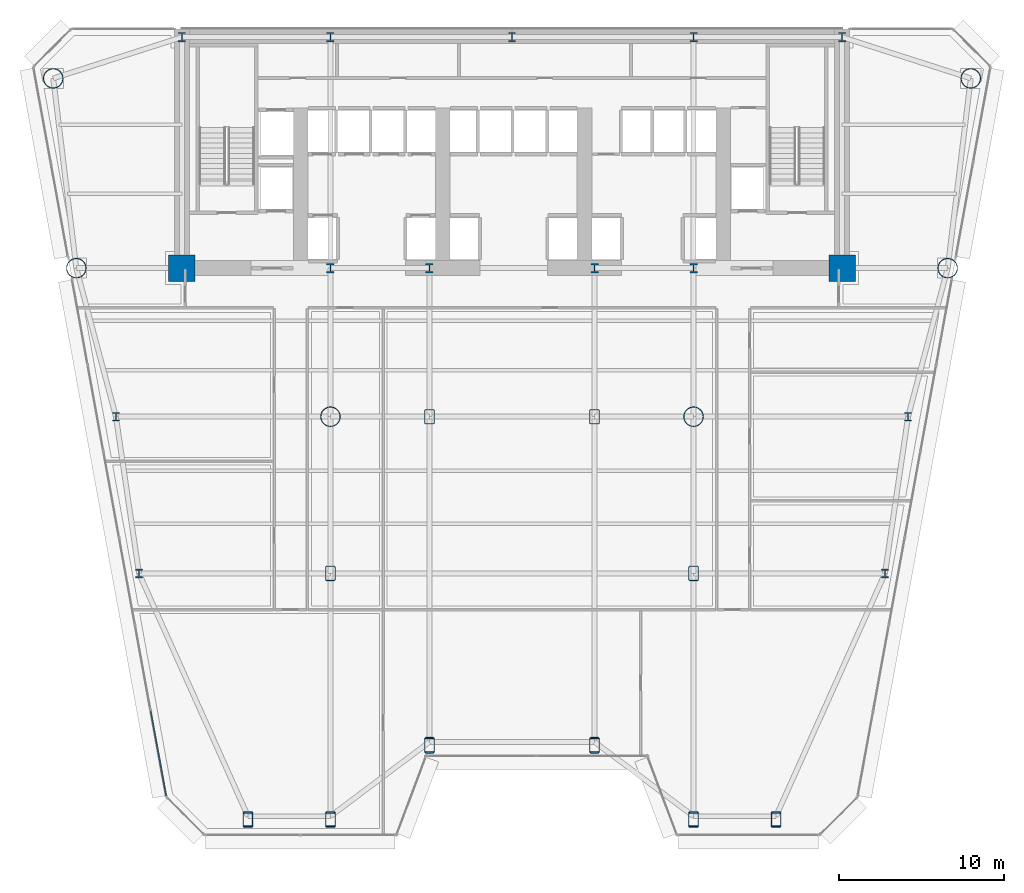
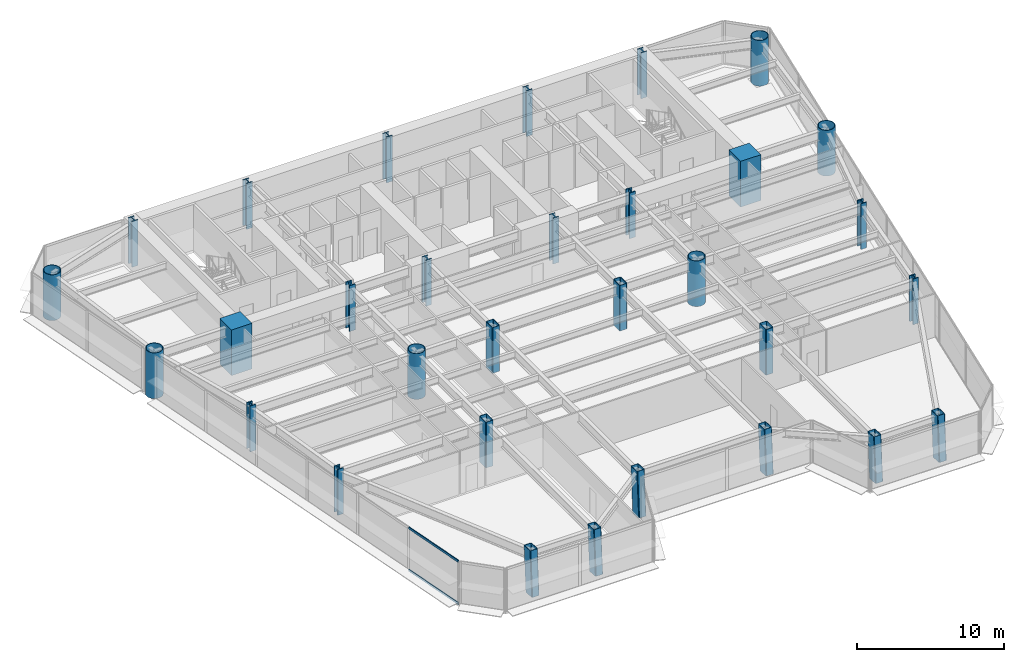
# One storey, part 1 of 14: 31 columns, 2 members, 1 element without a shape of its own.
"""IFC4 building model written with IfcOpenShell, lengths in metres."""

from ifc_helpers import new_model, si_unit, direction, frame, origin, origin_2d, place, context, subcontext, project, spatial, rectangle, hollow_rectangle, hollow_circle, i_section, extrude, source, transform, mapped, material, layer, layer_set, material_profile, profile_set, type_object, element, aggregate, save


model = new_model("IFC4")

# Units and contexts
model_context = context("Model", 3, precision=1e-05, world=origin(), true_north=direction((0.0, 1.0)))
body_context = subcontext(model_context, "Body", "Model", "MODEL_VIEW")
ifc_project = project(units=[si_unit("LENGTHUNIT", "METRE"), si_unit("AREAUNIT", "SQUARE_METRE"), si_unit("VOLUMEUNIT", "CUBIC_METRE"), si_unit("PLANEANGLEUNIT", "RADIAN"), si_unit("MASSUNIT", "GRAM", prefix="KILO")], contexts=[model_context])

# Site, building, storey
site_placement = place(None, origin())
site = spatial("IfcSite", under=ifc_project, at=site_placement, CompositionType="ELEMENT")
building_placement = place(site_placement, origin())
building = spatial("IfcBuilding", under=site, at=building_placement, Name="Vaeldorn Concourse Tower", CompositionType="ELEMENT")
storey_placement = place(building_placement, frame((0.0, 0.0, 53.0)))
storey = spatial("IfcBuildingStorey", under=building, at=storey_placement, Name="L13", CompositionType="ELEMENT", Elevation=53.0)

# Columns
ifc_material_1 = material(Name="Concrete C60/75", Category="concrete")
ifc_material_profile_1 = material_profile(ifc_material_1, rectangle(XDim=1.60009765625, YDim=1.60009765625, at=origin_2d()), Name="RC 1600x1600")
ifc_profile_set_1 = profile_set([ifc_material_profile_1], Name="Concrete C60/75")
column_type_1 = type_object("IfcColumnType", Name="COL-RC1600", PredefinedType="COLUMN", material=ifc_profile_set_1)
shared_shape_1 = source(origin(), body_context, "Body", "SweptSolid", [
    extrude(rectangle(XDim=1.60009765625, YDim=1.60009765625, at=origin_2d()), origin(), (0.0, 0.0, 1.0), 3.800048828125),
])
for number, where, z_axis, x_axis, name in (
    (1, (14.0, 36.5, 0.0), (0.0, 0.0, 1.0), (1.0, 0.0, 0.0), "Column C-FC1 L13"),
    (2, (54.0, 36.5, 0.0), (0.0, 0.0, 1.0), (1.0, 0.0, 0.0), "Column C-FC6 L13"),
):
    element("IfcColumn", number, at=place(storey_placement, frame(where, z_axis=z_axis, x_axis=x_axis)), inside=storey, type_object=column_type_1, Name=name, PredefinedType="COLUMN", context=body_context, shape_type="MappedRepresentation", body=[
        mapped(shared_shape_1, transform((0.0, 0.0, 0.0), scale=1.0)),
    ])
ifc_material_2 = material(Name="Steel S460", Category="steel")
ifc_material_profile_2 = material_profile(ifc_material_2, i_section(OverallWidth=0.4541015625, OverallDepth=0.569091796875, WebThickness=0.077880859375, FlangeThickness=0.080078125, FilletRadius=0.014892578125, at=origin_2d()), Name="HD 400x1086")
ifc_profile_set_2 = profile_set([ifc_material_profile_2], Name="Steel S460")
column_type_2 = type_object("IfcColumnType", Name="COL-HD1086", PredefinedType="COLUMN", material=ifc_profile_set_2)
shared_shape_2 = source(origin(), body_context, "Body", "SweptSolid", [
    extrude(i_section(OverallWidth=0.4541015625, OverallDepth=0.569091796875, WebThickness=0.077880859375, FlangeThickness=0.080078125, FilletRadius=0.014892578125, at=origin_2d()), origin(), (0.0, 0.0, 1.0), 3.800048828125),
])
for number, where, z_axis, x_axis, name in (
    (3, (23.0, 36.5, 0.0), (0.0, 0.0, 1.0), (1.0, 0.0, 0.0), "Column C-FC2 L13"),
    (4, (29.0, 36.5, 0.0), (0.0, 0.0, 1.0), (1.0, 0.0, 0.0), "Column C-FC3 L13"),
    (5, (39.0, 36.5, 0.0), (0.0, 0.0, 1.0), (1.0, 0.0, 0.0), "Column C-FC4 L13"),
    (6, (45.0, 36.5, 0.0), (0.0, 0.0, 1.0), (1.0, 0.0, 0.0), "Column C-FC5 L13"),
    (7, (14.0, 50.5, 0.0), (0.0, 0.0, 1.0), (1.0, 0.0, 0.0), "Column C-HC1 L13"),
    (8, (23.0, 50.5, 0.0), (0.0, 0.0, 1.0), (1.0, 0.0, 0.0), "Column C-HC2 L13"),
    (9, (34.0, 50.5, 0.0), (0.0, 0.0, 1.0), (1.0, 0.0, 0.0), "Column C-HC3 L13"),
    (10, (45.0, 50.5, 0.0), (0.0, 0.0, 1.0), (1.0, 0.0, 0.0), "Column C-HC4 L13"),
    (11, (54.0, 50.5, 0.0), (0.0, 0.0, 1.0), (1.0, 0.0, 0.0), "Column C-HC5 L13"),
):
    element("IfcColumn", number, at=place(storey_placement, frame(where, z_axis=z_axis, x_axis=x_axis)), inside=storey, type_object=column_type_2, Name=name, PredefinedType="COLUMN", context=body_context, shape_type="MappedRepresentation", body=[
        mapped(shared_shape_2, transform((0.0, 0.0, 0.0), scale=1.0)),
    ])
ifc_material_profile_3 = material_profile(ifc_material_2, hollow_circle(Radius=0.609619140625, WallThickness=0.050048828125, at=origin_2d()), Name="CHS 1219x50")
ifc_profile_set_3 = profile_set([ifc_material_profile_3], Name="Steel S460")
column_type_3 = type_object("IfcColumnType", Name="COL-CHS1219", PredefinedType="COLUMN", material=ifc_profile_set_3)
shared_shape_3 = source(origin(), body_context, "Body", "SweptSolid", [
    extrude(hollow_circle(Radius=0.609619140625, WallThickness=0.050048828125, at=origin_2d()), origin(), (0.0, 0.0, 1.0), 3.800048828125),
])
for number, where, z_axis, x_axis, name in (
    (12, (6.199951171875, 48.0, 0.0), (0.0, 0.0, 1.0), (1.0, 0.0, 0.0), "Column C-NW1 L13"),
    (13, (7.60009765625, 36.5, 0.0), (0.0, 0.0, 1.0), (1.0, 0.0, 0.0), "Column C-NW2 L13"),
    (14, (61.800048828125, 48.0, 0.0), (0.0, 0.0, 1.0), (1.0, 0.0, 0.0), "Column C-NE1 L13"),
    (15, (60.39990234375, 36.5, 0.0), (0.0, 0.0, 1.0), (1.0, 0.0, 0.0), "Column C-NE2 L13"),
    (16, (23.0, 27.5, 0.0), (0.0, 0.0, 1.0), (1.0, 0.0, 0.0), "Column C-TW1 L13"),
    (17, (45.0, 27.5, 0.0), (0.0, 0.0, 1.0), (1.0, 0.0, 0.0), "Column C-TW4 L13"),
):
    element("IfcColumn", number, at=place(storey_placement, frame(where, z_axis=z_axis, x_axis=x_axis)), inside=storey, type_object=column_type_3, Name=name, PredefinedType="COLUMN", context=body_context, shape_type="MappedRepresentation", body=[
        mapped(shared_shape_3, transform((0.0, 0.0, 0.0), scale=1.0)),
    ])
ifc_material_profile_4 = material_profile(ifc_material_2, i_section(OverallWidth=0.44189453125, OverallDepth=0.531005859375, WebThickness=0.06494140625, FlangeThickness=0.075927734375, FilletRadius=0.014892578125, at=origin_2d()), Name="HD 400x900")
ifc_profile_set_4 = profile_set([ifc_material_profile_4], Name="Steel S460")
column_type_4 = type_object("IfcColumnType", Name="COL-HD900F", PredefinedType="COLUMN", material=ifc_profile_set_4)
shared_shape_4 = source(origin(), body_context, "Body", "SweptSolid", [
    extrude(i_section(OverallWidth=0.44189453125, OverallDepth=0.531005859375, WebThickness=0.06494140625, FlangeThickness=0.075927734375, FilletRadius=0.014892578125, at=origin_2d()), origin(), (0.0, 0.0, 1.0), 3.800048828125),
])
for number, where, z_axis, x_axis, name in (
    (18, (10.0, 27.5, 0.0), (0.0, 0.0, 1.0), (1.0, 0.0, 0.0), "Column C-FLW1 L13"),
    (19, (11.39990234375, 18.0, 0.0), (0.0, 0.0, 1.0), (1.0, 0.0, 0.0), "Column C-FLW2 L13"),
    (20, (58.0, 27.5, 0.0), (0.0, 0.0, 1.0), (1.0, 0.0, 0.0), "Column C-FLE1 L13"),
    (21, (56.60009765625, 18.0, 0.0), (0.0, 0.0, 1.0), (1.0, 0.0, 0.0), "Column C-FLE2 L13"),
):
    element("IfcColumn", number, at=place(storey_placement, frame(where, z_axis=z_axis, x_axis=x_axis)), inside=storey, type_object=column_type_4, Name=name, PredefinedType="COLUMN", context=body_context, shape_type="MappedRepresentation", body=[
        mapped(shared_shape_4, transform((0.0, 0.0, 0.0), scale=1.0)),
    ])
ifc_material_profile_5 = material_profile(ifc_material_2, hollow_rectangle(XDim=0.60009765625, YDim=0.89990234375, WallThickness=0.0400390625, InnerFilletRadius=0.0400390625, OuterFilletRadius=0.080078125, at=origin_2d()), Name="RHS 900x600x40")
ifc_profile_set_5 = profile_set([ifc_material_profile_5], Name="Steel S460")
column_type_5 = type_object("IfcColumnType", Name="COL-RHS900", PredefinedType="COLUMN", material=ifc_profile_set_5)
shared_shape_5 = source(origin(), body_context, "Body", "SweptSolid", [
    extrude(hollow_rectangle(XDim=0.60009765625, YDim=0.89990234375, WallThickness=0.0400390625, InnerFilletRadius=0.0400390625, OuterFilletRadius=0.080078125, at=origin_2d()), origin(), (0.0, 0.0, 1.0), 3.800048828125),
])
for number, where, z_axis, x_axis, name in (
    (22, (29.0, 27.5, 0.0), (0.0, 0.0, 1.0), (1.0, 0.0, 0.0), "Column C-TW2 L13"),
    (23, (39.0, 27.5, 0.0), (0.0, 0.0, 1.0), (1.0, 0.0, 0.0), "Column C-TW3 L13"),
    (24, (23.0, 18.0, 0.0), (0.0, 0.0, 1.0), (1.0, 0.0, 0.0), "Column C-TW5 L13"),
    (25, (45.0, 18.0, 0.0), (0.0, 0.0, 1.0), (1.0, 0.0, 0.0), "Column C-TW6 L13"),
):
    element("IfcColumn", number, at=place(storey_placement, frame(where, z_axis=z_axis, x_axis=x_axis)), inside=storey, type_object=column_type_5, Name=name, PredefinedType="COLUMN", context=body_context, shape_type="MappedRepresentation", body=[
        mapped(shared_shape_5, transform((0.0, 0.0, 0.0), scale=1.0)),
    ])
shared_shape_6 = source(origin(), body_context, "Body", "SweptSolid", [
    extrude(hollow_rectangle(XDim=0.60009765625, YDim=0.89990234375, WallThickness=0.0400390625, InnerFilletRadius=0.0400390625, OuterFilletRadius=0.080078125, at=origin_2d()), origin(), (0.0, 0.0, 1.0), 3.74365234375),
])
for number, where, z_axis, x_axis, name in (
    (26, (18.0, 3.0517578125, 0.031982421875), (0.0, 0.063843869911, 0.997959899132), (-1.0, 0.0, 0.0), "Column C-SF1 L13"),
    (27, (23.0, 3.0517578125, 0.031982421875), (0.0, 0.063843869911, 0.997959899132), (-1.0, 0.0, 0.0), "Column C-SF2 L13"),
    (28, (29.0, 7.5517578125, 0.031982421875), (0.0, 0.063843869911, 0.997959899132), (-1.0, 0.0, 0.0), "Column C-SF3 L13"),
    (29, (39.0, 7.5517578125, 0.031982421875), (0.0, 0.063843869911, 0.997959899132), (-1.0, 0.0, 0.0), "Column C-SF4 L13"),
    (30, (45.0, 3.0517578125, 0.031982421875), (0.0, 0.063843869911, 0.997959899132), (-1.0, 0.0, 0.0), "Column C-SF5 L13"),
    (31, (50.0, 3.0517578125, 0.031982421875), (0.0, 0.063843869911, 0.997959899132), (-1.0, 0.0, 0.0), "Column C-SF6 L13"),
):
    element("IfcColumn", number, at=place(storey_placement, frame(where, z_axis=z_axis, x_axis=x_axis)), inside=storey, type_object=column_type_5, Name=name, PredefinedType="COLUMN", context=body_context, shape_type="MappedRepresentation", body=[
        mapped(shared_shape_6, transform((0.0, 0.0, 0.0), scale=1.0)),
    ])

# Curtain wall, members
ifc_material_3 = material(Name="Anodised Bronze Aluminium", Category="aluminium")
ifc_layer = layer(ifc_material_3, 0.219970703125)
ifc_layer_set = layer_set([ifc_layer], Name="Anodised Bronze Aluminium")
curtain_wall_type = type_object("IfcCurtainWallType", Name="CW-SYS-01", PredefinedType="NOTDEFINED", material=ifc_layer_set)
curtain_wall_placement = place(storey_placement, origin())
curtain_wall = element("IfcCurtainWall", 32, at=curtain_wall_placement, inside=storey, type_object=curtain_wall_type, Name="Unitised Curtain Wall CW-L13-E11-2", PredefinedType="NOTDEFINED")
ifc_material_profile_6 = material_profile(ifc_material_3, rectangle(XDim=0.074951171875, YDim=0.179931640625, at=origin_2d()), Name="CWT 75x180")
ifc_profile_set_6 = profile_set([ifc_material_profile_6], Name="Anodised Bronze Aluminium")
member_type = type_object("IfcMemberType", Name="CWT-BRONZE-180", PredefinedType="USERDEFINED", material=ifc_profile_set_6)
shared_shape_7 = source(origin(), body_context, "Body", "SweptSolid", [
    extrude(rectangle(XDim=0.074951171875, YDim=0.179931640625, at=origin_2d()), origin(), (0.0, 0.0, 1.0), 5.2119140625),
])
member_1_placement = place(storey_placement, frame((12.112548828125, 9.65283203125, 0.03759765625), z_axis=(0.179223450753, -0.983808393286, 0.0), x_axis=(0.983808393286, 0.179223450753, 0.0)))
member_1 = element("IfcMember", 33, at=member_1_placement, type_object=member_type, Name="CW-01 transom 6.1", ObjectType="TRANSOM", PredefinedType="USERDEFINED", context=body_context, shape_type="MappedRepresentation", body=[
    mapped(shared_shape_7, transform((0.0, 0.0, 0.0), scale=1.0)),
])
member_2_placement = place(storey_placement, frame((12.112548828125, 9.65283203125, 3.54248046875), z_axis=(0.179223450753, -0.983808393286, 0.0), x_axis=(0.983808393286, 0.179223450753, 0.0)))
member_2 = element("IfcMember", 34, at=member_2_placement, type_object=member_type, Name="CW-01 transom 6.2", ObjectType="TRANSOM", PredefinedType="USERDEFINED", context=body_context, shape_type="MappedRepresentation", body=[
    mapped(shared_shape_7, transform((0.0, 0.0, 0.0), scale=1.0)),
])
aggregate(curtain_wall, [member_1, member_2])

save(model, "model.ifc")
